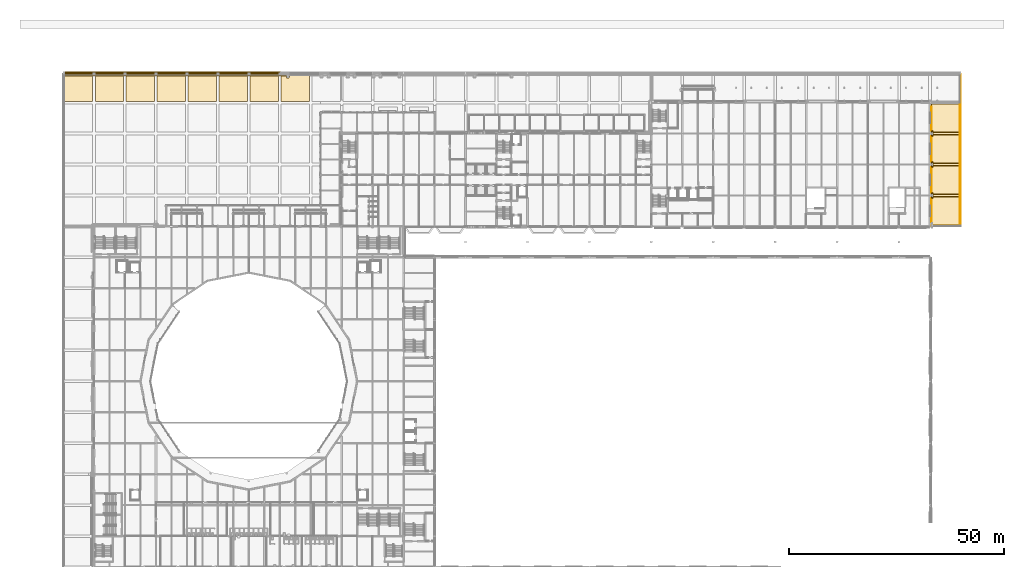
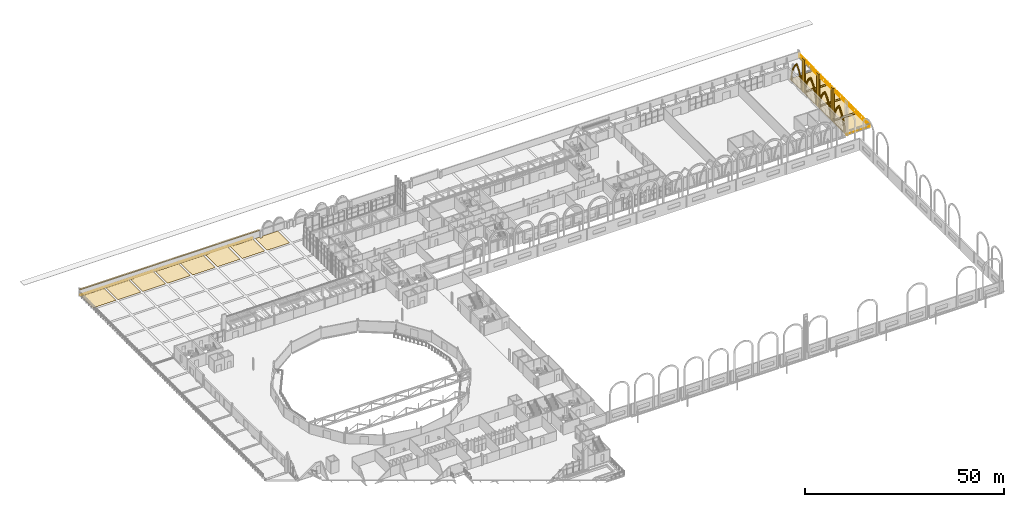
# One storey, part 130 of 143: 30 coverings, 1 railing.
"""IFC4 building model written with IfcOpenShell, lengths in metres."""

from ifc_helpers import new_model, si_unit, direction, frame, origin, origin_2d, place, context, subcontext, project, spatial, polyline, rectangle, circle, outline, extrude, material, layer, layer_set, type_object, element, save


model = new_model("IFC4")

# Units and contexts
model_context = context("Model", 3, precision=1e-05, world=origin(), true_north=direction((0.0, 1.0)))
body_context = subcontext(model_context, "Body", "Model", "MODEL_VIEW")
ifc_project = project(units=[si_unit("LENGTHUNIT", "METRE"), si_unit("AREAUNIT", "SQUARE_METRE"), si_unit("VOLUMEUNIT", "CUBIC_METRE"), si_unit("PLANEANGLEUNIT", "RADIAN"), si_unit("MASSUNIT", "GRAM", prefix="KILO")], contexts=[model_context])

# Site, building, storey
site_placement = place(None, origin())
site = spatial("IfcSite", under=ifc_project, at=site_placement, CompositionType="ELEMENT")
building_placement = place(site_placement, origin())
building = spatial("IfcBuilding", under=site, at=building_placement, Name="Kupolbacken Congress Centre", CompositionType="ELEMENT")
storey_placement = place(building_placement, frame((0.0, 0.0, 7.199951171875)))
storey = spatial("IfcBuildingStorey", under=building, at=storey_placement, Name="L02", CompositionType="ELEMENT", Elevation=7.199951171875)

# Coverings
ifc_material_1 = material(Name="Limestone cladding", Category="masonry")
ifc_layer_1 = layer(ifc_material_1, 0.1201171875)
ifc_layer_set_1 = layer_set([ifc_layer_1], Name="Limestone cladding")
covering_type_1 = type_object("IfcCoveringType", Name="CV1 limestone cladding band 120", PredefinedType="CLADDING", material=ifc_layer_set_1)
covering_1_placement = place(storey_placement, frame((0.0, 0.0, 2.0)))
element("IfcCovering", 1, at=covering_1_placement, inside=storey, type_object=covering_type_1, Name="Limestone coping on boundary wall", PredefinedType="CLADDING", context=body_context, shape_type="SweptSolid", body=[
    extrude(outline(polyline([(52.0, 157.85009765625), (52.0, 157.449951171875), (0.0009765625, 157.449951171875), (0.0009765625, 157.85009765625), (52.0, 157.85009765625)])), origin(), (0.0, 0.0, 1.0), 0.1201171875),
])
ifc_material_2 = material(Name="Limestone cladding", Category="masonry")
ifc_layer_2 = layer(ifc_material_2, 0.35009765625)
ifc_layer_set_2 = layer_set([ifc_layer_2], Name="Limestone cladding")
covering_type_2 = type_object("IfcCoveringType", Name="CV3 limestone pilaster strip 350", PredefinedType="CLADDING", material=ifc_layer_set_2)
for number, where, z_axis, x_axis, name in (
    (2, (202.014892578125, 129.60009765625, 0.0), (0.0, 0.0, 1.0), (0.0, 1.0, 0.0), "F/B/E/pil/01/0"),
    (3, (202.014892578125, 136.800048828125, 0.0), (0.0, 0.0, 1.0), (0.0, 1.0, 0.0), "F/B/E/pil/02/0"),
    (4, (202.014892578125, 144.0, 0.0), (0.0, 0.0, 1.0), (0.0, 1.0, 0.0), "F/B/E/pil/03/0"),
):
    element("IfcCovering", number, at=place(storey_placement, frame(where, z_axis=z_axis, x_axis=x_axis)), inside=storey, type_object=covering_type_2, Name=name, PredefinedType="CLADDING", context=body_context, shape_type="SweptSolid", body=[
        extrude(rectangle(XDim=1.199951171875, YDim=0.35009765625, at=origin_2d()), origin(), (0.0, 0.0, 1.0), 10.300048828125),
    ])
ifc_material_3 = material(Name="Limestone cladding", Category="masonry")
ifc_layer_3 = layer(ifc_material_3, 0.14990234375)
ifc_layer_set_3 = layer_set([ifc_layer_3], Name="Limestone cladding")
covering_type_3 = type_object("IfcCoveringType", Name="CV4 limestone blind arch frame 150", PredefinedType="CLADDING", material=ifc_layer_set_3)
covering_2_placement = place(storey_placement, frame((201.840087890625, 123.360107421875, 0.300048828125), z_axis=(1.0, 0.0, 0.0), x_axis=(0.0, 1.0, 0.0)))
element("IfcCovering", 5, at=covering_2_placement, inside=storey, type_object=covering_type_3, Name="F/B/E/arch/00/7.5", PredefinedType="CLADDING", context=body_context, shape_type="SweptSolid", body=[
    extrude(outline(polyline([(0.0, 0.0), (0.01513671875, 0.520263671875), (0.060791015625, 1.038818359375), (0.13671875, 1.553466796875), (0.242431640625, 2.06298828125), (0.377685546875, 2.565673828125), (0.542236328125, 3.059326171875), (0.7353515625, 3.542724609375), (0.956298828125, 4.013916015625), (1.20458984375, 4.47119140625), (1.47900390625, 4.91357421875), (1.77880859375, 5.3388671875), (2.10302734375, 5.74609375), (2.450439453125, 6.133544921875), (2.820068359375, 6.5), (3.189453125, 6.133544921875), (3.536865234375, 5.74609375), (3.861083984375, 5.3388671875), (4.160888671875, 4.91357421875), (4.435546875, 4.47119140625), (4.68359375, 4.013916015625), (4.904541015625, 3.542724609375), (5.09765625, 3.059326171875), (5.26220703125, 2.565673828125), (5.397705078125, 2.06298828125), (5.50341796875, 1.553466796875), (5.5791015625, 1.038818359375), (5.624755859375, 0.520263671875), (5.639892578125, 0.0), (5.340087890625, 0.0), (5.326416015625, 0.482421875), (5.285888671875, 0.963134765625), (5.218505859375, 1.44091796875), (5.124267578125, 1.914306640625), (5.003662109375, 2.381591796875), (4.857177734375, 2.84130859375), (4.68505859375, 3.2919921875), (4.48779296875, 3.732421875), (4.266357421875, 4.1611328125), (4.021240234375, 4.576904296875), (3.753173828125, 4.977783203125), (3.462890625, 5.363525390625), (3.151611328125, 5.732177734375), (2.820068359375, 6.082763671875), (2.488525390625, 5.732177734375), (2.177001953125, 5.363525390625), (1.886962890625, 4.977783203125), (1.618896484375, 4.576904296875), (1.37353515625, 4.1611328125), (1.152099609375, 3.732421875), (0.954833984375, 3.2919921875), (0.78271484375, 2.84130859375), (0.63623046875, 2.381591796875), (0.515625, 1.914306640625), (0.421630859375, 1.44091796875), (0.35400390625, 0.963134765625), (0.3134765625, 0.482421875), (0.300048828125, 0.0), (0.0, 0.0)])), origin(), (0.0, 0.0, 1.0), 0.14990234375),
])
covering_3_placement = place(storey_placement, frame((201.840087890625, 130.199951171875, 0.300048828125), z_axis=(1.0, 0.0, 0.0), x_axis=(0.0, 1.0, 0.0)))
element("IfcCovering", 6, at=covering_3_placement, inside=storey, type_object=covering_type_3, Name="F/B/E/arch/01/7.5", PredefinedType="CLADDING", context=body_context, shape_type="SweptSolid", body=[
    extrude(outline(polyline([(0.0, 0.0), (0.016357421875, 0.52734375), (0.065185546875, 1.052490234375), (0.146240234375, 1.573974609375), (0.259521484375, 2.089111328125), (0.404296875, 2.596435546875), (0.580078125, 3.093994140625), (0.7861328125, 3.57958984375), (1.02197265625, 4.051513671875), (1.286376953125, 4.5078125), (1.57861328125, 4.947265625), (1.897216796875, 5.36767578125), (2.2412109375, 5.767578125), (2.609375, 6.1455078125), (3.0, 6.5), (3.390625, 6.1455078125), (3.7587890625, 5.767578125), (4.102783203125, 5.36767578125), (4.42138671875, 4.947265625), (4.713623046875, 4.5078125), (4.97802734375, 4.051513671875), (5.2138671875, 3.57958984375), (5.419921875, 3.093994140625), (5.595703125, 2.596435546875), (5.740478515625, 2.089111328125), (5.853759765625, 1.573974609375), (5.934814453125, 1.052490234375), (5.983642578125, 0.52734375), (6.0, 0.0), (5.699951171875, 0.0), (5.685302734375, 0.490234375), (5.6416015625, 0.97900390625), (5.56884765625, 1.464111328125), (5.467529296875, 1.94384765625), (5.337646484375, 2.4169921875), (5.179931640625, 2.88134765625), (4.994873046875, 3.335693359375), (4.782958984375, 3.778076171875), (4.54541015625, 4.20703125), (4.282470703125, 4.621337890625), (3.99560546875, 5.01904296875), (3.685302734375, 5.39892578125), (3.35302734375, 5.760009765625), (3.0, 6.100341796875), (2.64697265625, 5.760009765625), (2.314697265625, 5.39892578125), (2.00439453125, 5.01904296875), (1.717529296875, 4.621337890625), (1.45458984375, 4.20703125), (1.217041015625, 3.778076171875), (1.005126953125, 3.335693359375), (0.820068359375, 2.88134765625), (0.662353515625, 2.4169921875), (0.532470703125, 1.94384765625), (0.43115234375, 1.464111328125), (0.3583984375, 0.97900390625), (0.314697265625, 0.490234375), (0.300048828125, 0.0), (0.0, 0.0)])), origin(), (0.0, 0.0, 1.0), 0.14990234375),
])
covering_4_placement = place(storey_placement, frame((201.840087890625, 137.39990234375, 0.300048828125), z_axis=(1.0, 0.0, 0.0), x_axis=(0.0, 1.0, 0.0)))
element("IfcCovering", 7, at=covering_4_placement, inside=storey, type_object=covering_type_3, Name="F/B/E/arch/02/7.5", PredefinedType="CLADDING", context=body_context, shape_type="SweptSolid", body=[
    extrude(outline(polyline([(0.0, 0.0), (0.016357421875, 0.52734375), (0.065185546875, 1.052490234375), (0.146240234375, 1.573974609375), (0.259521484375, 2.089111328125), (0.404296875, 2.596435546875), (0.580078125, 3.093994140625), (0.7861328125, 3.57958984375), (1.02197265625, 4.051513671875), (1.286376953125, 4.5078125), (1.57861328125, 4.947265625), (1.897216796875, 5.36767578125), (2.2412109375, 5.767578125), (2.609375, 6.1455078125), (3.0, 6.5), (3.390625, 6.1455078125), (3.7587890625, 5.767578125), (4.102783203125, 5.36767578125), (4.42138671875, 4.947265625), (4.713623046875, 4.5078125), (4.97802734375, 4.051513671875), (5.2138671875, 3.57958984375), (5.419921875, 3.093994140625), (5.595703125, 2.596435546875), (5.740478515625, 2.089111328125), (5.853759765625, 1.573974609375), (5.934814453125, 1.052490234375), (5.983642578125, 0.52734375), (6.0, 0.0), (5.699951171875, 0.0), (5.685302734375, 0.490234375), (5.6416015625, 0.97900390625), (5.56884765625, 1.464111328125), (5.467529296875, 1.94384765625), (5.337646484375, 2.4169921875), (5.179931640625, 2.88134765625), (4.994873046875, 3.335693359375), (4.782958984375, 3.778076171875), (4.54541015625, 4.20703125), (4.282470703125, 4.621337890625), (3.99560546875, 5.01904296875), (3.685302734375, 5.39892578125), (3.35302734375, 5.760009765625), (3.0, 6.100341796875), (2.64697265625, 5.760009765625), (2.314697265625, 5.39892578125), (2.00439453125, 5.01904296875), (1.717529296875, 4.621337890625), (1.45458984375, 4.20703125), (1.217041015625, 3.778076171875), (1.005126953125, 3.335693359375), (0.820068359375, 2.88134765625), (0.662353515625, 2.4169921875), (0.532470703125, 1.94384765625), (0.43115234375, 1.464111328125), (0.3583984375, 0.97900390625), (0.314697265625, 0.490234375), (0.300048828125, 0.0), (0.0, 0.0)])), origin(), (0.0, 0.0, 1.0), 0.14990234375),
])
covering_5_placement = place(storey_placement, frame((201.840087890625, 144.60009765625, 0.300048828125), z_axis=(1.0, 0.0, 0.0), x_axis=(0.0, 1.0, 0.0)))
element("IfcCovering", 8, at=covering_5_placement, inside=storey, type_object=covering_type_3, Name="F/B/E/arch/03/7.5", PredefinedType="CLADDING", context=body_context, shape_type="SweptSolid", body=[
    extrude(outline(polyline([(0.0, 0.0), (0.01513671875, 0.520263671875), (0.060791015625, 1.038818359375), (0.13671875, 1.553466796875), (0.242431640625, 2.06298828125), (0.377685546875, 2.565673828125), (0.542236328125, 3.059326171875), (0.7353515625, 3.542724609375), (0.956298828125, 4.013916015625), (1.20458984375, 4.47119140625), (1.47900390625, 4.91357421875), (1.77880859375, 5.3388671875), (2.10302734375, 5.74609375), (2.450439453125, 6.133544921875), (2.820068359375, 6.5), (3.189453125, 6.133544921875), (3.536865234375, 5.74609375), (3.861083984375, 5.3388671875), (4.160888671875, 4.91357421875), (4.435546875, 4.47119140625), (4.68359375, 4.013916015625), (4.904541015625, 3.542724609375), (5.09765625, 3.059326171875), (5.26220703125, 2.565673828125), (5.397705078125, 2.06298828125), (5.50341796875, 1.553466796875), (5.5791015625, 1.038818359375), (5.624755859375, 0.520263671875), (5.639892578125, 0.0), (5.340087890625, 0.0), (5.326416015625, 0.482421875), (5.285888671875, 0.963134765625), (5.218505859375, 1.44091796875), (5.124267578125, 1.914306640625), (5.003662109375, 2.381591796875), (4.857177734375, 2.84130859375), (4.68505859375, 3.2919921875), (4.48779296875, 3.732421875), (4.266357421875, 4.1611328125), (4.021240234375, 4.576904296875), (3.753173828125, 4.977783203125), (3.462890625, 5.363525390625), (3.151611328125, 5.732177734375), (2.820068359375, 6.082763671875), (2.488525390625, 5.732177734375), (2.177001953125, 5.363525390625), (1.886962890625, 4.977783203125), (1.618896484375, 4.576904296875), (1.37353515625, 4.1611328125), (1.152099609375, 3.732421875), (0.954833984375, 3.2919921875), (0.78271484375, 2.84130859375), (0.63623046875, 2.381591796875), (0.515625, 1.914306640625), (0.421630859375, 1.44091796875), (0.35400390625, 0.963134765625), (0.3134765625, 0.482421875), (0.300048828125, 0.0), (0.0, 0.0)])), origin(), (0.0, 0.0, 1.0), 0.14990234375),
])
ifc_material_4 = material(Name="Limestone cladding", Category="masonry")
ifc_layer_4 = layer(ifc_material_4, 0.02001953125)
ifc_layer_set_4 = layer_set([ifc_layer_4], Name="Limestone cladding")
covering_type_4 = type_object("IfcCoveringType", Name="GF1 limestone paving 20", PredefinedType="FLOORING", material=ifc_layer_set_4)
covering_6_placement = place(storey_placement, origin())
element("IfcCovering", 9, at=covering_6_placement, inside=storey, type_object=covering_type_4, Name="Forecourt limestone paving", PredefinedType="FLOORING", context=body_context, shape_type="SweptSolid", body=[
    extrude(outline(polyline([(43.5, 157.830078125), (43.5, 158.09912109375), (50.10009765625, 158.09912109375), (50.10009765625, 157.830078125), (43.5, 157.830078125)])), origin(), (0.0, 0.0, 1.0), 0.02001953125),
])
covering_7_placement = place(storey_placement, origin())
element("IfcCovering", 10, at=covering_7_placement, inside=storey, type_object=covering_type_4, Name="Forecourt limestone paving", PredefinedType="FLOORING", context=body_context, shape_type="SweptSolid", body=[
    extrude(outline(polyline([(36.300048828125, 157.830078125), (36.300048828125, 158.09912109375), (42.89990234375, 158.09912109375), (42.89990234375, 157.830078125), (36.300048828125, 157.830078125)])), origin(), (0.0, 0.0, 1.0), 0.02001953125),
])
covering_8_placement = place(storey_placement, origin())
element("IfcCovering", 11, at=covering_8_placement, inside=storey, type_object=covering_type_4, Name="Forecourt limestone paving", PredefinedType="FLOORING", context=body_context, shape_type="SweptSolid", body=[
    extrude(outline(polyline([(29.10009765625, 157.830078125), (29.10009765625, 158.09912109375), (35.699951171875, 158.09912109375), (35.699951171875, 157.830078125), (29.10009765625, 157.830078125)])), origin(), (0.0, 0.0, 1.0), 0.02001953125),
])
covering_9_placement = place(storey_placement, origin())
element("IfcCovering", 12, at=covering_9_placement, inside=storey, type_object=covering_type_4, Name="Forecourt limestone paving", PredefinedType="FLOORING", context=body_context, shape_type="SweptSolid", body=[
    extrude(outline(polyline([(21.89990234375, 157.830078125), (21.89990234375, 158.09912109375), (28.5, 158.09912109375), (28.5, 157.830078125), (21.89990234375, 157.830078125)])), origin(), (0.0, 0.0, 1.0), 0.02001953125),
])
covering_10_placement = place(storey_placement, origin())
element("IfcCovering", 13, at=covering_10_placement, inside=storey, type_object=covering_type_4, Name="Forecourt limestone paving", PredefinedType="FLOORING", context=body_context, shape_type="SweptSolid", body=[
    extrude(outline(polyline([(14.699951171875, 157.830078125), (14.699951171875, 158.09912109375), (21.300048828125, 158.09912109375), (21.300048828125, 157.830078125), (14.699951171875, 157.830078125)])), origin(), (0.0, 0.0, 1.0), 0.02001953125),
])
covering_11_placement = place(storey_placement, origin())
element("IfcCovering", 14, at=covering_11_placement, inside=storey, type_object=covering_type_4, Name="Forecourt limestone paving", PredefinedType="FLOORING", context=body_context, shape_type="SweptSolid", body=[
    extrude(outline(polyline([(7.5, 157.830078125), (7.5, 158.09912109375), (14.10009765625, 158.09912109375), (14.10009765625, 157.830078125), (7.5, 157.830078125)])), origin(), (0.0, 0.0, 1.0), 0.02001953125),
])
covering_12_placement = place(storey_placement, origin())
element("IfcCovering", 15, at=covering_12_placement, inside=storey, type_object=covering_type_4, Name="Forecourt limestone paving", PredefinedType="FLOORING", context=body_context, shape_type="SweptSolid", body=[
    extrude(outline(polyline([(0.3310546875, 157.830078125), (0.3310546875, 158.09912109375), (6.89990234375, 158.09912109375), (6.89990234375, 157.830078125), (0.3310546875, 157.830078125)])), origin(), (0.0, 0.0, 1.0), 0.02001953125),
])
covering_13_placement = place(storey_placement, origin())
element("IfcCovering", 16, at=covering_13_placement, inside=storey, type_object=covering_type_4, Name="Forecourt limestone paving", PredefinedType="FLOORING", context=body_context, shape_type="SweptSolid", body=[
    extrude(outline(polyline([(0.301025390625, 157.469970703125), (6.89990234375, 157.469970703125), (6.89990234375, 151.5), (0.301025390625, 151.5), (0.301025390625, 157.469970703125)])), origin(), (0.0, 0.0, 1.0), 0.02001953125),
])
covering_14_placement = place(storey_placement, origin())
element("IfcCovering", 17, at=covering_14_placement, inside=storey, type_object=covering_type_4, Name="Forecourt limestone paving", PredefinedType="FLOORING", context=body_context, shape_type="SweptSolid", body=[
    extrude(outline(polyline([(14.10009765625, 157.469970703125), (14.10009765625, 151.5), (7.5, 151.5), (7.5, 157.469970703125), (14.10009765625, 157.469970703125)])), origin(), (0.0, 0.0, 1.0), 0.02001953125),
])
covering_15_placement = place(storey_placement, origin())
element("IfcCovering", 18, at=covering_15_placement, inside=storey, type_object=covering_type_4, Name="Forecourt limestone paving", PredefinedType="FLOORING", context=body_context, shape_type="SweptSolid", body=[
    extrude(outline(polyline([(21.300048828125, 157.469970703125), (21.300048828125, 151.5), (14.699951171875, 151.5), (14.699951171875, 157.469970703125), (21.300048828125, 157.469970703125)])), origin(), (0.0, 0.0, 1.0), 0.02001953125),
])
covering_16_placement = place(storey_placement, origin())
element("IfcCovering", 19, at=covering_16_placement, inside=storey, type_object=covering_type_4, Name="Forecourt limestone paving", PredefinedType="FLOORING", context=body_context, shape_type="SweptSolid", body=[
    extrude(outline(polyline([(28.5, 157.469970703125), (28.5, 151.5), (21.89990234375, 151.5), (21.89990234375, 157.469970703125), (28.5, 157.469970703125)])), origin(), (0.0, 0.0, 1.0), 0.02001953125),
])
covering_17_placement = place(storey_placement, origin())
element("IfcCovering", 20, at=covering_17_placement, inside=storey, type_object=covering_type_4, Name="Forecourt limestone paving", PredefinedType="FLOORING", context=body_context, shape_type="SweptSolid", body=[
    extrude(outline(polyline([(35.699951171875, 157.469970703125), (35.699951171875, 151.5), (29.10009765625, 151.5), (29.10009765625, 157.469970703125), (35.699951171875, 157.469970703125)])), origin(), (0.0, 0.0, 1.0), 0.02001953125),
])
covering_18_placement = place(storey_placement, origin())
element("IfcCovering", 21, at=covering_18_placement, inside=storey, type_object=covering_type_4, Name="Forecourt limestone paving", PredefinedType="FLOORING", context=body_context, shape_type="SweptSolid", body=[
    extrude(outline(polyline([(42.89990234375, 157.469970703125), (42.89990234375, 151.5), (36.300048828125, 151.5), (36.300048828125, 157.469970703125), (42.89990234375, 157.469970703125)])), origin(), (0.0, 0.0, 1.0), 0.02001953125),
])
covering_19_placement = place(storey_placement, origin())
element("IfcCovering", 22, at=covering_19_placement, inside=storey, type_object=covering_type_4, Name="Forecourt limestone paving", PredefinedType="FLOORING", context=body_context, shape_type="SweptSolid", body=[
    extrude(outline(polyline([(50.10009765625, 157.469970703125), (50.10009765625, 151.5), (43.5, 151.5), (43.5, 157.469970703125), (50.10009765625, 157.469970703125)])), origin(), (0.0, 0.0, 1.0), 0.02001953125),
])
covering_20_placement = place(storey_placement, origin())
element("IfcCovering", 23, at=covering_20_placement, inside=storey, type_object=covering_type_4, Name="Forecourt limestone paving", PredefinedType="FLOORING", context=body_context, shape_type="SweptSolid", body=[
    extrude(outline(polyline([(51.969970703125, 157.469970703125), (51.969970703125, 157.050048828125), (51.998046875, 157.050048828125), (51.998046875, 156.9580078125), (52.60205078125, 156.9580078125), (52.60205078125, 157.050048828125), (52.6298828125, 157.050048828125), (52.6298828125, 157.469970703125), (57.300048828125, 157.469970703125), (57.300048828125, 151.5), (50.699951171875, 151.5), (50.699951171875, 157.469970703125), (51.969970703125, 157.469970703125)])), origin(), (0.0, 0.0, 1.0), 0.02001953125),
])
covering_21_placement = place(storey_placement, origin())
element("IfcCovering", 24, at=covering_21_placement, inside=storey, type_object=covering_type_4, Name="Ballroom terrace limestone paving", PredefinedType="FLOORING", context=body_context, shape_type="SweptSolid", body=[
    extrude(outline(polyline([(201.904541015625, 122.77099609375), (201.876953125, 122.79150390625), (201.89990234375, 122.7744140625), (201.89990234375, 129.300048828125), (208.4990234375, 129.300048828125), (208.4990234375, 122.699951171875), (202.401611328125, 122.699951171875), (201.974365234375, 122.699951171875), (201.97119140625, 122.70458984375), (201.939453125, 122.739501953125), (201.904541015625, 122.77099609375)])), origin(), (0.0, 0.0, 1.0), 0.02001953125),
])
covering_22_placement = place(storey_placement, origin())
element("IfcCovering", 25, at=covering_22_placement, inside=storey, type_object=covering_type_4, Name="Ballroom terrace limestone paving", PredefinedType="FLOORING", context=body_context, shape_type="SweptSolid", body=[
    extrude(outline(polyline([(201.89990234375, 136.5), (208.4990234375, 136.5), (208.4990234375, 129.89990234375), (201.89990234375, 129.89990234375), (201.89990234375, 136.5)])), origin(), (0.0, 0.0, 1.0), 0.02001953125),
])
covering_23_placement = place(storey_placement, origin())
element("IfcCovering", 26, at=covering_23_placement, inside=storey, type_object=covering_type_4, Name="Ballroom terrace limestone paving", PredefinedType="FLOORING", context=body_context, shape_type="SweptSolid", body=[
    extrude(outline(polyline([(201.89990234375, 143.699951171875), (208.4990234375, 143.699951171875), (208.4990234375, 137.10009765625), (201.89990234375, 137.10009765625), (201.89990234375, 143.699951171875)])), origin(), (0.0, 0.0, 1.0), 0.02001953125),
])
covering_24_placement = place(storey_placement, origin())
element("IfcCovering", 27, at=covering_24_placement, inside=storey, type_object=covering_type_4, Name="Ballroom terrace limestone paving", PredefinedType="FLOORING", context=body_context, shape_type="SweptSolid", body=[
    extrude(outline(polyline([(201.97119140625, 150.8955078125), (201.974365234375, 150.89990234375), (208.4990234375, 150.89990234375), (208.4990234375, 144.300048828125), (201.89990234375, 144.300048828125), (201.89990234375, 150.82568359375), (201.876953125, 150.80859375), (201.904541015625, 150.828857421875), (201.939453125, 150.860595703125), (201.97119140625, 150.8955078125)])), origin(), (0.0, 0.0, 1.0), 0.02001953125),
])
ifc_material_5 = material(Name="Brick", Category="masonry")
ifc_layer_5 = layer(ifc_material_5, 0.02001953125)
ifc_layer_set_5 = layer_set([ifc_layer_5], Name="Brick")
covering_type_5 = type_object("IfcCoveringType", Name="GF2 brick paving 20", PredefinedType="FLOORING", material=ifc_layer_set_5)
covering_25_placement = place(storey_placement, origin())
element("IfcCovering", 28, at=covering_25_placement, inside=storey, type_object=covering_type_5, Name="Ballroom paving band", PredefinedType="FLOORING", context=body_context, shape_type="SweptSolid", body=[
    extrude(outline(polyline([(201.89990234375, 129.300048828125), (201.89990234375, 122.7744140625), (201.876953125, 122.79150390625), (201.876953125, 129.386474609375), (201.933349609375, 129.383544921875), (202.175048828125, 129.347900390625), (202.175048828125, 129.852294921875), (201.933349609375, 129.81640625), (201.876953125, 129.813720703125), (201.876953125, 136.58642578125), (201.933349609375, 136.58349609375), (202.175048828125, 136.5478515625), (202.175048828125, 137.05224609375), (201.933349609375, 137.016357421875), (201.876953125, 137.013671875), (201.876953125, 143.786376953125), (201.933349609375, 143.78369140625), (202.175048828125, 143.747802734375), (202.175048828125, 144.252197265625), (201.933349609375, 144.21630859375), (201.876953125, 144.213623046875), (201.876953125, 150.80859375), (201.89990234375, 150.82568359375), (201.89990234375, 144.300048828125), (208.4990234375, 144.300048828125), (208.4990234375, 143.699951171875), (201.89990234375, 143.699951171875), (201.89990234375, 137.10009765625), (208.4990234375, 137.10009765625), (208.4990234375, 136.5), (201.89990234375, 136.5), (201.89990234375, 129.89990234375), (208.4990234375, 129.89990234375), (208.4990234375, 129.300048828125), (201.89990234375, 129.300048828125)])), origin(), (0.0, 0.0, 1.0), 0.02001953125),
])
ifc_material_6 = material(Name="Granite setts", Category="masonry")
ifc_layer_6 = layer(ifc_material_6, 0.10009765625)
ifc_layer_set_6 = layer_set([ifc_layer_6], Name="Granite setts")
covering_type_6 = type_object("IfcCoveringType", Name="GR3 granite sett paving 100", PredefinedType="FLOORING", material=ifc_layer_set_6)
covering_26_placement = place(storey_placement, origin())
element("IfcCovering", 29, at=covering_26_placement, inside=storey, type_object=covering_type_6, Name="Granite kerb edging", PredefinedType="FLOORING", context=body_context, shape_type="SweptSolid", body=[
    extrude(outline(polyline([(0.3310546875, 158.39697265625), (50.572021484375, 158.39697265625), (50.527587890625, 158.09912109375), (0.3310546875, 158.09912109375), (0.3310546875, 158.39697265625)])), origin(), (0.0, 0.0, 1.0), 0.10009765625),
])
covering_27_placement = place(storey_placement, origin())
element("IfcCovering", 30, at=covering_27_placement, inside=storey, type_object=covering_type_6, Name="Granite kerb edging", PredefinedType="FLOORING", context=body_context, shape_type="SweptSolid", body=[
    extrude(outline(polyline([(202.04345703125, 122.583740234375), (202.021484375, 122.62939453125), (202.26318359375, 122.665283203125), (202.401611328125, 122.699951171875), (208.4990234375, 122.699951171875), (208.4990234375, 151.197998046875), (208.51904296875, 151.197998046875), (208.51904296875, 122.679931640625), (202.472412109375, 122.679931640625), (202.43798828125, 122.676513671875), (202.4208984375, 122.67236328125), (202.404296875, 122.666259765625), (202.373046875, 122.649658203125), (202.345703125, 122.627197265625), (202.333984375, 122.6142578125), (202.314208984375, 122.5849609375), (202.306640625, 122.56884765625), (202.29638671875, 122.53515625), (202.29296875, 122.5), (202.29638671875, 122.46484375), (202.30078125, 122.44775390625), (202.306640625, 122.43115234375), (202.322265625, 122.402099609375), (202.079833984375, 122.402099609375), (202.07763671875, 122.447021484375), (202.07080078125, 122.49365234375), (202.059326171875, 122.539306640625), (202.04345703125, 122.583740234375)])), origin(), (0.0, 0.0, 1.0), 0.10009765625),
])

# Railing
ifc_material_7 = material(Name="Steel S235", Category="steel")
railing_type = type_object("IfcRailingType", Name="RL1 guard 1100 steel balustrade", PredefinedType="GUARDRAIL", material=ifc_material_7)
railing_placement = place(storey_placement, frame((208.698974609375, 157.800048828125, 0.0)))
element("IfcRailing", 31, at=railing_placement, inside=storey, type_object=railing_type, Name="E/deckguard/003", PredefinedType="GUARDRAIL", context=body_context, shape_type="SweptSolid", body=[
    extrude(circle(Radius=0.02392578125, at=origin_2d()), frame((0.0, 0.0, 1.076171875), z_axis=(0.0, -1.0, 0.0), x_axis=(1.0, 0.0, 0.0)), (0.0, 0.0, 1.0), 35.300048828125),
    extrude(circle(Radius=0.02099609375, at=origin_2d()), origin(), (0.0, 0.0, 1.0), 1.052001953125),
    extrude(circle(Radius=0.02099609375, at=origin_2d()), frame((0.0, -1.1767578125, 0.0)), (0.0, 0.0, 1.0), 1.052001953125),
    extrude(circle(Radius=0.02099609375, at=origin_2d()), frame((0.0, -2.353271484375, 0.0)), (0.0, 0.0, 1.0), 1.052001953125),
    extrude(circle(Radius=0.02099609375, at=origin_2d()), frame((0.0, -3.530029296875, 0.0)), (0.0, 0.0, 1.0), 1.052001953125),
    extrude(circle(Radius=0.02099609375, at=origin_2d()), frame((0.0, -4.706787109375, 0.0)), (0.0, 0.0, 1.0), 1.052001953125),
    extrude(circle(Radius=0.02099609375, at=origin_2d()), frame((0.0, -5.88330078125, 0.0)), (0.0, 0.0, 1.0), 1.052001953125),
    extrude(circle(Radius=0.02099609375, at=origin_2d()), frame((0.0, -7.06005859375, 0.0)), (0.0, 0.0, 1.0), 1.052001953125),
    extrude(circle(Radius=0.02099609375, at=origin_2d()), frame((0.0, -8.236572265625, 0.0)), (0.0, 0.0, 1.0), 1.052001953125),
    extrude(circle(Radius=0.02099609375, at=origin_2d()), frame((0.0, -9.413330078125, 0.0)), (0.0, 0.0, 1.0), 1.052001953125),
    extrude(circle(Radius=0.02099609375, at=origin_2d()), frame((0.0, -10.590087890625, 0.0)), (0.0, 0.0, 1.0), 1.052001953125),
    extrude(circle(Radius=0.02099609375, at=origin_2d()), frame((0.0, -11.7666015625, 0.0)), (0.0, 0.0, 1.0), 1.052001953125),
    extrude(circle(Radius=0.02099609375, at=origin_2d()), frame((0.0, -12.943359375, 0.0)), (0.0, 0.0, 1.0), 1.052001953125),
    extrude(circle(Radius=0.02099609375, at=origin_2d()), frame((0.0, -14.1201171875, 0.0)), (0.0, 0.0, 1.0), 1.052001953125),
    extrude(circle(Radius=0.02099609375, at=origin_2d()), frame((0.0, -15.296630859375, 0.0)), (0.0, 0.0, 1.0), 1.052001953125),
    extrude(circle(Radius=0.02099609375, at=origin_2d()), frame((0.0, -16.473388671875, 0.0)), (0.0, 0.0, 1.0), 1.052001953125),
    extrude(circle(Radius=0.02099609375, at=origin_2d()), frame((0.0, -17.64990234375, 0.0)), (0.0, 0.0, 1.0), 1.052001953125),
    extrude(circle(Radius=0.02099609375, at=origin_2d()), frame((0.0, -18.82666015625, 0.0)), (0.0, 0.0, 1.0), 1.052001953125),
    extrude(circle(Radius=0.02099609375, at=origin_2d()), frame((0.0, -20.00341796875, 0.0)), (0.0, 0.0, 1.0), 1.052001953125),
    extrude(circle(Radius=0.02099609375, at=origin_2d()), frame((0.0, -21.179931640625, 0.0)), (0.0, 0.0, 1.0), 1.052001953125),
    extrude(circle(Radius=0.02099609375, at=origin_2d()), frame((0.0, -22.356689453125, 0.0)), (0.0, 0.0, 1.0), 1.052001953125),
    extrude(circle(Radius=0.02099609375, at=origin_2d()), frame((0.0, -23.533447265625, 0.0)), (0.0, 0.0, 1.0), 1.052001953125),
    extrude(circle(Radius=0.02099609375, at=origin_2d()), frame((0.0, -24.7099609375, 0.0)), (0.0, 0.0, 1.0), 1.052001953125),
    extrude(circle(Radius=0.02099609375, at=origin_2d()), frame((0.0, -25.88671875, 0.0)), (0.0, 0.0, 1.0), 1.052001953125),
    extrude(circle(Radius=0.02099609375, at=origin_2d()), frame((0.0, -27.0634765625, 0.0)), (0.0, 0.0, 1.0), 1.052001953125),
    extrude(circle(Radius=0.02099609375, at=origin_2d()), frame((0.0, -28.239990234375, 0.0)), (0.0, 0.0, 1.0), 1.052001953125),
    extrude(circle(Radius=0.02099609375, at=origin_2d()), frame((0.0, -29.416748046875, 0.0)), (0.0, 0.0, 1.0), 1.052001953125),
    extrude(circle(Radius=0.02099609375, at=origin_2d()), frame((0.0, -30.59326171875, 0.0)), (0.0, 0.0, 1.0), 1.052001953125),
    extrude(circle(Radius=0.02099609375, at=origin_2d()), frame((0.0, -31.77001953125, 0.0)), (0.0, 0.0, 1.0), 1.052001953125),
    extrude(circle(Radius=0.02099609375, at=origin_2d()), frame((0.0, -32.94677734375, 0.0)), (0.0, 0.0, 1.0), 1.052001953125),
    extrude(circle(Radius=0.02099609375, at=origin_2d()), frame((0.0, -34.123291015625, 0.0)), (0.0, 0.0, 1.0), 1.052001953125),
    extrude(circle(Radius=0.02099609375, at=origin_2d()), frame((0.0, -35.300048828125, 0.0)), (0.0, 0.0, 1.0), 1.052001953125),
])

save(model, "model.ifc")
